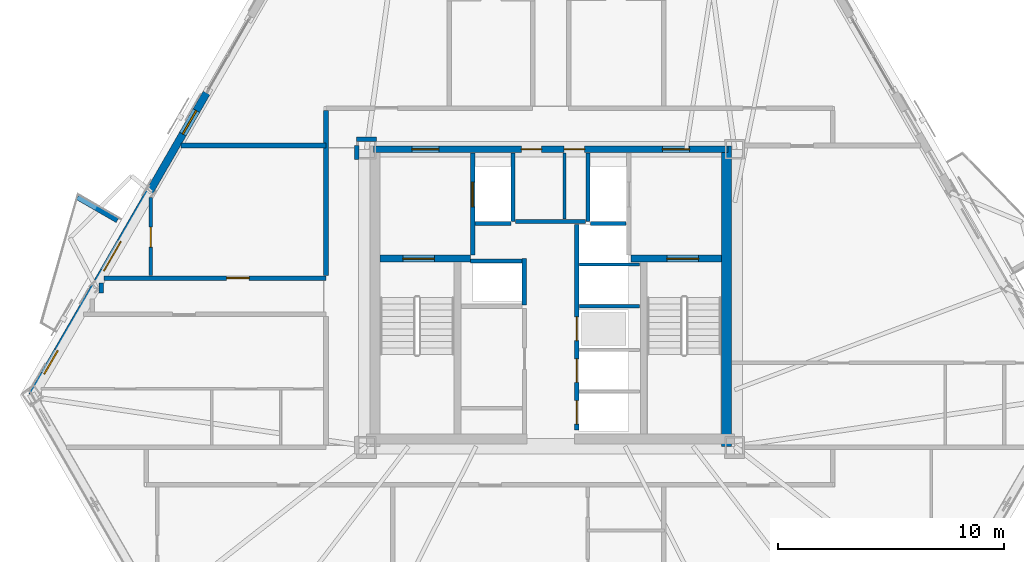
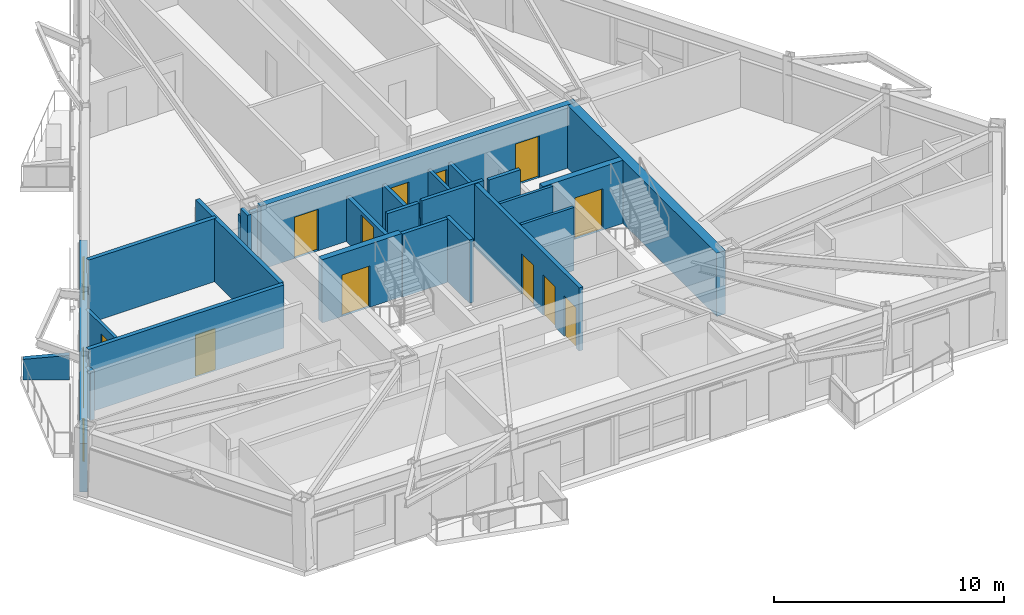
# One storey, part 10 of 16: 25 walls, 13 doors, 2 windows, 15 openings.
"""IFC4 building model written with IfcOpenShell, lengths in metres."""

from ifc_helpers import new_model, si_unit, direction, frame, frame_2d, origin, place, context, subcontext, project, spatial, polyline, rectangle, outline, extrude, material, layer, layer_set, type_object, element, fill, save


model = new_model("IFC4")

# Units and contexts
model_context = context("Model", 3, precision=1e-05, world=origin(), true_north=direction((0.0, 1.0)))
body_context = subcontext(model_context, "Body", "Model", "MODEL_VIEW")
ifc_project = project(units=[si_unit("LENGTHUNIT", "METRE"), si_unit("AREAUNIT", "SQUARE_METRE"), si_unit("VOLUMEUNIT", "CUBIC_METRE"), si_unit("PLANEANGLEUNIT", "RADIAN"), si_unit("MASSUNIT", "GRAM", prefix="KILO")], contexts=[model_context])

# Site, building, storey
site_placement = place(None, origin())
site = spatial("IfcSite", under=ifc_project, at=site_placement, CompositionType="ELEMENT")
building_placement = place(site_placement, origin())
building = spatial("IfcBuilding", under=site, at=building_placement, Name="Oramaril Tower", CompositionType="ELEMENT")
storey_placement = place(building_placement, frame((0.0, 0.0, 115.800048828125)))
storey = spatial("IfcBuildingStorey", under=building, at=storey_placement, Name="L30", CompositionType="ELEMENT", Elevation=115.800048828125)

# Wall, openings, door, windows
ifc_material_1 = material(Name="Warm Cream Limestone", Category="masonry")
ifc_layer_1 = layer(ifc_material_1, 0.340087890625)
ifc_layer_set_1 = layer_set([ifc_layer_1], Name="WT-EXT34")
wall_type_1 = type_object("IfcWallType", Name="WT-EXT34", PredefinedType="SOLIDWALL", material=ifc_layer_set_1)
wall_1_placement = place(storey_placement, frame((22.260986328125, 26.646484375, 0.0), z_axis=(0.0, 0.0, 1.0), x_axis=(-0.500009004027, -0.866020205245, 0.0)))
wall_1 = element("IfcWall", 1, at=wall_1_placement, inside=storey, type_object=wall_type_1, Name="L30 Tower Limestone Facade Wall 6R", PredefinedType="SOLIDWALL", context=body_context, shape_type="SweptSolid", body=[
    extrude(rectangle(XDim=15.463134765625, YDim=0.340087890625, at=frame_2d((7.7314453125, 0.0))), origin(), (0.0, 0.0, 1.0), 2.577880859375),
])
opening_1_placement = place(wall_1_placement, frame((7.59375, 0.0, 0.0)))
opening_1 = element("IfcOpeningElement", 2, at=opening_1_placement, cuts=wall_1, Name="Opening D-L30-BAL-NW2", PredefinedType="OPENING", context=body_context, shape_type="SweptSolid", body=[
    extrude(rectangle(XDim=1.5, YDim=2.199951171875, at=frame_2d((0.75, 1.10009765625))), frame((0.0, 0.169921875, 0.0), z_axis=(0.0, -1.0, 0.0), x_axis=(1.0, 0.0, 0.0)), (0.0, 0.0, 1.0), 0.340087890625),
])
opening_2_placement = place(wall_1_placement, frame((13.17724609375, 0.0, 0.85009765625)))
opening_2 = element("IfcOpeningElement", 3, at=opening_2_placement, cuts=wall_1, Name="Opening WN-09", PredefinedType="OPENING", context=body_context, shape_type="SweptSolid", body=[
    extrude(rectangle(XDim=1.199951171875, YDim=1.47998046875, at=frame_2d((0.60009765625, 0.739990234375))), frame((0.0, 0.169921875, 0.0), z_axis=(0.0, -1.0, 0.0), x_axis=(1.0, 0.0, 0.0)), (0.0, 0.0, 1.0), 0.340087890625),
])
opening_3_placement = place(wall_1_placement, frame((0.904541015625, 0.0, 0.85009765625)))
opening_3 = element("IfcOpeningElement", 4, at=opening_3_placement, cuts=wall_1, Name="Opening WN-09", PredefinedType="OPENING", context=body_context, shape_type="SweptSolid", body=[
    extrude(rectangle(XDim=1.199951171875, YDim=1.47998046875, at=frame_2d((0.60009765625, 0.739990234375))), frame((0.0, 0.169921875, 0.0), z_axis=(0.0, -1.0, 0.0), x_axis=(1.0, 0.0, 0.0)), (0.0, 0.0, 1.0), 0.340087890625),
])
ifc_material_2 = material(Name="Anodised Aluminium 6063-T6", Category="aluminium")
door_type_1 = type_object("IfcDoorType", Name="DT-BAL", OperationType="NOTDEFINED", PredefinedType="DOOR", material=ifc_material_2)
door_1_placement = place(opening_1_placement, origin())
door_1 = element("IfcDoor", 5, at=door_1_placement, inside=storey, type_object=door_type_1, Name="L30 Balcony Glazed Door L30-BAL-NW2", OperationType="SINGLE_SWING_RIGHT", OverallHeight=2.199951171875, OverallWidth=1.5, PredefinedType="DOOR", context=body_context, shape_type="SweptSolid", body=[
    extrude(rectangle(XDim=1.5, YDim=2.199951171875, at=frame_2d((0.75, 1.10009765625))), frame((0.0, 0.02490234375, 0.0), z_axis=(0.0, -1.0, 0.0), x_axis=(1.0, 0.0, 0.0)), (0.0, 0.0, 1.0), 0.050048828125),
])
fill(opening_1, door_1)
ifc_material_3 = material(Name="Coastal Low-E Insulated Glass", Category="glass")
window_type = type_object("IfcWindowType", Name="WNT-09", PartitioningType="SINGLE_PANEL", PredefinedType="WINDOW", material=ifc_material_3)
window_1_placement = place(opening_2_placement, origin())
window_1 = element("IfcWindow", 6, at=window_1_placement, inside=storey, type_object=window_type, Name="L30 Chicago Bay Window WN-09", OverallHeight=1.47998046875, OverallWidth=1.199951171875, PartitioningType="SINGLE_PANEL", PredefinedType="WINDOW", context=body_context, shape_type="SweptSolid", body=[
    extrude(rectangle(XDim=1.199951171875, YDim=1.47998046875, at=frame_2d((0.60009765625, 0.739990234375))), frame((0.0, 0.030029296875, 0.0), z_axis=(0.0, -1.0, 0.0), x_axis=(1.0, 0.0, 0.0)), (0.0, 0.0, 1.0), 0.06005859375),
])
fill(opening_2, window_1)
window_2_placement = place(opening_3_placement, origin())
window_2 = element("IfcWindow", 7, at=window_2_placement, inside=storey, type_object=window_type, Name="L30 Chicago Bay Window WN-09", OverallHeight=1.47998046875, OverallWidth=1.199951171875, PartitioningType="SINGLE_PANEL", PredefinedType="WINDOW", context=body_context, shape_type="SweptSolid", body=[
    extrude(rectangle(XDim=1.199951171875, YDim=1.47998046875, at=frame_2d((0.60009765625, 0.739990234375))), frame((0.0, 0.030029296875, 0.0), z_axis=(0.0, -1.0, 0.0), x_axis=(1.0, 0.0, 0.0)), (0.0, 0.0, 1.0), 0.06005859375),
])
fill(opening_3, window_2)

# Walls
ifc_material_4 = material(Name="Concrete C40/50", Category="concrete")
ifc_layer_2 = layer(ifc_material_4, 0.22998046875)
ifc_layer_set_2 = layer_set([ifc_layer_2], Name="WT-PRP23")
wall_type_2 = type_object("IfcWallType", Name="WT-PRP23", PredefinedType="PARAPET", material=ifc_layer_set_2)
wall_2_placement = place(storey_placement, frame((18.313720703125, 21.005615234375, 0.0), z_axis=(0.0, 0.0, 1.0), x_axis=(-0.866012356593, 0.500022597718, 0.0)))
element("IfcWall", 8, at=wall_2_placement, inside=storey, type_object=wall_type_2, Name="L30 Trapezoidal Balcony Frame Cheek L30-BAL-NW2-L", PredefinedType="PARAPET", context=body_context, shape_type="SweptSolid", body=[
    extrude(outline(polyline([(0.0, 0.0), (2.0419921875, 0.0), (2.0419921875, 1.099853515625), (0.0, 1.320068359375), (0.0, 0.0)])), frame((0.0, 0.114990234375, 0.0), z_axis=(0.0, -1.0, 0.0), x_axis=(1.0, 0.0, 0.0)), (0.0, 0.0, 1.0), 0.22998046875),
])
ifc_material_5 = material(Name="Acoustic Gypsum Board Partition")
ifc_layer_3 = layer(ifc_material_5, 0.139892578125)
ifc_layer_set_3 = layer_set([ifc_layer_3], Name="WT-PT14")
wall_type_3 = type_object("IfcWallType", Name="WT-PT14", PredefinedType="PARTITIONING", material=ifc_layer_set_3)
for number, where, z_axis, x_axis, name in (
    (9, (38.780029296875, 17.199951171875, 0.0), (0.0, 0.0, 1.0), (1.0, 0.0, 0.0), "L30 East Lift Divider"),
    (10, (38.780029296875, 19.050048828125, 0.0), (0.0, 0.0, 1.0), (1.0, 0.0, 0.0), "L30 East Lift Divider"),
):
    element("IfcWall", number, at=place(storey_placement, frame(where, z_axis=z_axis, x_axis=x_axis)), inside=storey, type_object=wall_type_3, Name=name, PredefinedType="PARTITIONING", context=body_context, shape_type="SweptSolid", body=[
        extrude(rectangle(XDim=2.659912109375, YDim=0.139892578125, at=frame_2d((1.330078125, 0.0))), origin(), (0.0, 0.0, 1.0), 3.35986328125),
    ])
wall_3_placement = place(storey_placement, frame((38.110107421875, 21.06005859375, 0.0), z_axis=(0.0, 0.0, 1.0), x_axis=(0.0, 1.0, 0.0)))
element("IfcWall", 11, at=wall_3_placement, inside=storey, type_object=wall_type_3, Name="L30 Core Service Divider", PredefinedType="PARTITIONING", context=body_context, shape_type="SweptSolid", body=[
    extrude(rectangle(XDim=2.919921875, YDim=0.139892578125, at=frame_2d((1.4599609375, 0.0))), origin(), (0.0, 0.0, 1.0), 2.39990234375),
])

# Wall, opening, door
ifc_material_6 = material(Name="Acoustic Gypsum Board Partition")
ifc_layer_4 = layer(ifc_material_6, 0.159912109375)
ifc_layer_set_4 = layer_set([ifc_layer_4], Name="WT-PT16")
wall_type_4 = type_object("IfcWallType", Name="WT-PT16", PredefinedType="PARTITIONING", material=ifc_layer_set_4)
wall_4_placement = place(storey_placement, frame((19.7900390625, 18.553955078125, 0.0), z_axis=(0.0, 0.0, 1.0), x_axis=(0.0, 1.0, 0.0)))
wall_4 = element("IfcWall", 12, at=wall_4_placement, inside=storey, type_object=wall_type_4, Name="L30 Interior Partition PT-16", PredefinedType="PARTITIONING", context=body_context, shape_type="SweptSolid", body=[
    extrude(rectangle(XDim=3.46484375, YDim=0.159912109375, at=frame_2d((1.732421875, 0.0))), origin(), (0.0, 0.0, 1.0), 2.577880859375),
])
opening_4_placement = place(wall_4_placement, frame((1.2705078125, 0.0, 0.0)))
opening_4 = element("IfcOpeningElement", 13, at=opening_4_placement, cuts=wall_4, Name="Opening D-L30-20", PredefinedType="OPENING", context=body_context, shape_type="SweptSolid", body=[
    extrude(rectangle(XDim=0.8798828125, YDim=2.080078125, at=frame_2d((0.43994140625, 1.0400390625))), frame((0.0, 0.080078125, 0.0), z_axis=(0.0, -1.0, 0.0), x_axis=(1.0, 0.0, 0.0)), (0.0, 0.0, 1.0), 0.159912109375),
])
ifc_material_7 = material(Name="FSC Brazilian Freijo Hardwood", Category="wood")
door_type_2 = type_object("IfcDoorType", Name="DT-BATH", OperationType="NOTDEFINED", PredefinedType="DOOR", material=ifc_material_7)
door_2_placement = place(opening_4_placement, origin())
door_2 = element("IfcDoor", 14, at=door_2_placement, inside=storey, type_object=door_type_2, Name="L30 Flat L30-U5 Bathroom Door D-L30-20", OperationType="SINGLE_SWING_RIGHT", OverallHeight=2.080078125, OverallWidth=0.8798828125, PredefinedType="DOOR", context=body_context, shape_type="SweptSolid", body=[
    extrude(rectangle(XDim=0.8798828125, YDim=2.080078125, at=frame_2d((0.43994140625, 1.0400390625))), frame((0.0, 0.02490234375, 0.0), z_axis=(0.0, -1.0, 0.0), x_axis=(1.0, 0.0, 0.0)), (0.0, 0.0, 1.0), 0.050048828125),
])
fill(opening_4, door_2)

# Walls
ifc_material_8 = material(Name="Autoclaved Cellular Concrete Block", Category="concrete")
ifc_layer_5 = layer(ifc_material_8, 0.179931640625)
ifc_layer_set_5 = layer_set([ifc_layer_5], Name="WT-PT18")
wall_type_5 = type_object("IfcWallType", Name="WT-PT18", PredefinedType="PARTITIONING", material=ifc_layer_set_5)
wall_5_placement = place(storey_placement, frame((35.840087890625, 20.9599609375, 0.0), z_axis=(0.0, 0.0, 1.0), x_axis=(0.0, 1.0, 0.0)))
element("IfcWall", 15, at=wall_5_placement, inside=storey, type_object=wall_type_5, Name="L30 FL-1 East Shaft Wall", PredefinedType="PARTITIONING", context=body_context, shape_type="SweptSolid", body=[
    extrude(rectangle(XDim=3.02001953125, YDim=0.179931640625, at=frame_2d((1.510009765625, 0.0))), origin(), (0.0, 0.0, 1.0), 2.39990234375),
])
wall_6_placement = place(storey_placement, frame((34.159912109375, 20.860107421875, 0.0), z_axis=(0.0, 0.0, 1.0), x_axis=(1.0, 0.0, 0.0)))
element("IfcWall", 16, at=wall_6_placement, inside=storey, type_object=wall_type_5, Name="L30 FL-1 South Shaft Wall", PredefinedType="PARTITIONING", context=body_context, shape_type="SweptSolid", body=[
    extrude(rectangle(XDim=1.580078125, YDim=0.179931640625, at=frame_2d((0.7900390625, 0.0))), origin(), (0.0, 0.0, 1.0), 3.35986328125),
])
wall_7_placement = place(storey_placement, frame((39.159912109375, 20.9599609375, 0.0), z_axis=(0.0, 0.0, 1.0), x_axis=(0.0, 1.0, 0.0)))
element("IfcWall", 17, at=wall_7_placement, inside=storey, type_object=wall_type_5, Name="L30 FL-2 West Shaft Wall", PredefinedType="PARTITIONING", context=body_context, shape_type="SweptSolid", body=[
    extrude(rectangle(XDim=3.02001953125, YDim=0.179931640625, at=frame_2d((1.510009765625, 0.0))), origin(), (0.0, 0.0, 1.0), 2.39990234375),
])
wall_8_placement = place(storey_placement, frame((39.260009765625, 20.860107421875, 0.0), z_axis=(0.0, 0.0, 1.0), x_axis=(1.0, 0.0, 0.0)))
element("IfcWall", 18, at=wall_8_placement, inside=storey, type_object=wall_type_5, Name="L30 FL-2 South Shaft Wall", PredefinedType="PARTITIONING", context=body_context, shape_type="SweptSolid", body=[
    extrude(rectangle(XDim=1.580078125, YDim=0.179931640625, at=frame_2d((0.7900390625, 0.0))), origin(), (0.0, 0.0, 1.0), 3.35986328125),
])
wall_9_placement = place(storey_placement, frame((33.949951171875, 19.199951171875, 0.0), z_axis=(0.0, 0.0, 1.0), x_axis=(1.0, 0.0, 0.0)))
element("IfcWall", 19, at=wall_9_placement, inside=storey, type_object=wall_type_5, Name="L30 High-Rise Lift H1 North Shaft Wall", PredefinedType="PARTITIONING", context=body_context, shape_type="SweptSolid", body=[
    extrude(rectangle(XDim=2.27001953125, YDim=0.179931640625, at=frame_2d((1.135009765625, 0.0))), origin(), (0.0, 0.0, 1.0), 3.35986328125),
])
wall_10_placement = place(storey_placement, frame((35.949951171875, 20.949951171875, 0.0), z_axis=(0.0, 0.0, 1.0), x_axis=(1.0, 0.0, 0.0)))
element("IfcWall", 20, at=wall_10_placement, inside=storey, type_object=wall_type_5, Name="L30 Lift Lobby North Partition", PredefinedType="PARTITIONING", context=body_context, shape_type="SweptSolid", body=[
    extrude(rectangle(XDim=3.10009765625, YDim=0.179931640625, at=frame_2d((1.550048828125, 0.0))), origin(), (0.0, 0.0, 1.0), 3.35986328125),
])

# Wall, opening, door
ifc_material_9 = material(Name="Autoclaved Cellular Concrete Block", Category="concrete")
ifc_layer_6 = layer(ifc_material_9, 0.199951171875)
ifc_layer_set_6 = layer_set([ifc_layer_6], Name="WT-PT20")
wall_type_6 = type_object("IfcWallType", Name="WT-PT20", PredefinedType="PARTITIONING", material=ifc_layer_set_6)
wall_11_placement = place(storey_placement, frame((17.7294921875, 18.449951171875, 0.0), z_axis=(0.0, 0.0, 1.0), x_axis=(1.0, 0.0, 0.0)))
wall_11 = element("IfcWall", 21, at=wall_11_placement, inside=storey, type_object=wall_type_6, Name="L30 Interior Partition PT-20", PredefinedType="PARTITIONING", context=body_context, shape_type="SweptSolid", body=[
    extrude(rectangle(XDim=9.820556640625, YDim=0.199951171875, at=frame_2d((4.91015625, 0.0))), origin(), (0.0, 0.0, 1.0), 3.35986328125),
])
opening_5_placement = place(wall_11_placement, frame((5.42138671875, 0.0, 0.0)))
opening_5 = element("IfcOpeningElement", 22, at=opening_5_placement, cuts=wall_11, Name="Opening D-L30-11", PredefinedType="OPENING", context=body_context, shape_type="SweptSolid", body=[
    extrude(rectangle(XDim=1.0, YDim=2.179931640625, at=frame_2d((0.5, 1.08984375))), frame((0.0, 0.10009765625, 0.0), z_axis=(0.0, -1.0, 0.0), x_axis=(1.0, 0.0, 0.0)), (0.0, 0.0, 1.0), 0.199951171875),
])
ifc_material_10 = material(Name="FSC Brazilian Freijo Hardwood", Category="wood")
door_type_3 = type_object("IfcDoorType", Name="DT-APT", OperationType="NOTDEFINED", PredefinedType="DOOR", material=ifc_material_10)
door_3_placement = place(opening_5_placement, origin())
door_3 = element("IfcDoor", 23, at=door_3_placement, inside=storey, type_object=door_type_3, Name="L30 Flat L30-U5 Kitchen and Studio Apartment Door D-L30-11", OperationType="SINGLE_SWING_LEFT", OverallHeight=2.179931640625, OverallWidth=1.0, PredefinedType="DOOR", context=body_context, shape_type="SweptSolid", body=[
    extrude(rectangle(XDim=1.0, YDim=2.179931640625, at=frame_2d((0.5, 1.08984375))), frame((0.0, 0.02490234375, 0.0), z_axis=(0.0, -1.0, 0.0), x_axis=(1.0, 0.0, 0.0)), (0.0, 0.0, 1.0), 0.050048828125),
])
fill(opening_5, door_3)

# Walls
wall_12_placement = place(storey_placement, frame((21.11865234375, 24.320068359375, 0.0), z_axis=(0.0, 0.0, 1.0), x_axis=(1.0, 0.0, 0.0)))
element("IfcWall", 24, at=wall_12_placement, inside=storey, type_object=wall_type_6, Name="L30 Interior Partition PT-20", PredefinedType="PARTITIONING", context=body_context, shape_type="SweptSolid", body=[
    extrude(rectangle(XDim=6.431396484375, YDim=0.199951171875, at=frame_2d((3.2158203125, 0.0))), origin(), (0.0, 0.0, 1.0), 3.35986328125),
])
wall_13_placement = place(storey_placement, frame((28.909912109375, 24.590087890625, 0.0), z_axis=(0.0, 0.0, 1.0), x_axis=(1.0, 0.0, 0.0)))
element("IfcWall", 25, at=wall_13_placement, inside=storey, type_object=wall_type_6, Name="L30 Interior Partition PT-20", PredefinedType="PARTITIONING", context=body_context, shape_type="SweptSolid", body=[
    extrude(rectangle(XDim=0.880126953125, YDim=0.199951171875, at=frame_2d((0.43994140625, 0.0))), origin(), (0.0, 0.0, 1.0), 2.81396484375),
])
wall_14_placement = place(storey_placement, frame((17.60009765625, 17.793701171875, 0.0), z_axis=(0.0, 0.0, 1.0), x_axis=(0.0, 1.0, 0.0)))
element("IfcWall", 26, at=wall_14_placement, inside=storey, type_object=wall_type_6, Name="L30 Interior Partition PT-20", PredefinedType="PARTITIONING", context=body_context, shape_type="SweptSolid", body=[
    extrude(rectangle(XDim=0.431884765625, YDim=0.199951171875, at=frame_2d((0.2158203125, 0.0))), origin(), (0.0, 0.0, 1.0), 2.577880859375),
])
wall_15_placement = place(storey_placement, frame((27.550048828125, 18.553955078125, 0.0), z_axis=(0.0, 0.0, 1.0), x_axis=(0.0, 1.0, 0.0)))
element("IfcWall", 27, at=wall_15_placement, inside=storey, type_object=wall_type_6, Name="L30 Interior Partition PT-20", PredefinedType="PARTITIONING", context=body_context, shape_type="SweptSolid", body=[
    extrude(rectangle(XDim=7.31201171875, YDim=0.199951171875, at=frame_2d((3.656005859375, 0.0))), origin(), (0.0, 0.0, 1.0), 3.35986328125),
])
wall_16_placement = place(storey_placement, frame((28.909912109375, 23.7099609375, 0.0), z_axis=(0.0, 0.0, 1.0), x_axis=(0.0, 1.0, 0.0)))
element("IfcWall", 28, at=wall_16_placement, inside=storey, type_object=wall_type_6, Name="L30 Interior Partition PT-20", PredefinedType="PARTITIONING", context=body_context, shape_type="SweptSolid", body=[
    extrude(rectangle(XDim=0.610107421875, YDim=0.199951171875, at=frame_2d((0.30517578125, 0.0))), origin(), (0.0, 0.0, 1.0), 3.35986328125),
])

# Wall, openings, doors
ifc_material_11 = material(Name="Concrete C50/60", Category="concrete")
ifc_layer_7 = layer(ifc_material_11, 0.300048828125)
ifc_layer_set_7 = layer_set([ifc_layer_7], Name="WT-SH30")
wall_type_7 = type_object("IfcWallType", Name="WT-SH30", PredefinedType="SHEAR", material=ifc_layer_set_7)
wall_17_placement = place(storey_placement, frame((29.64990234375, 24.14990234375, 0.0), z_axis=(0.0, 0.0, 1.0), x_axis=(1.0, 0.0, 0.0)))
wall_17 = element("IfcWall", 29, at=wall_17_placement, inside=storey, type_object=wall_type_7, Name="L30 Core Shear Wall CW-N", PredefinedType="SHEAR", context=body_context, shape_type="SweptSolid", body=[
    extrude(rectangle(XDim=15.7001953125, YDim=0.300048828125, at=frame_2d((7.85009765625, 0.0))), origin(), (0.0, 0.0, 1.0), 3.35986328125),
])
opening_6_placement = place(wall_17_placement, frame((1.699951171875, 0.0, 0.0)))
opening_6 = element("IfcOpeningElement", 30, at=opening_6_placement, cuts=wall_17, Name="Opening D-L30-FFL1", PredefinedType="OPENING", context=body_context, shape_type="SweptSolid", body=[
    extrude(rectangle(XDim=1.199951171875, YDim=2.199951171875, at=frame_2d((0.60009765625, 1.10009765625))), frame((0.0, 0.14990234375, 0.0), z_axis=(0.0, -1.0, 0.0), x_axis=(1.0, 0.0, 0.0)), (0.0, 0.0, 1.0), 0.300048828125),
])
opening_7_placement = place(wall_17_placement, frame((12.800048828125, 0.0, 0.0)))
opening_7 = element("IfcOpeningElement", 31, at=opening_7_placement, cuts=wall_17, Name="Opening D-L30-FFL2", PredefinedType="OPENING", context=body_context, shape_type="SweptSolid", body=[
    extrude(rectangle(XDim=1.199951171875, YDim=2.199951171875, at=frame_2d((0.60009765625, 1.10009765625))), frame((0.0, 0.14990234375, 0.0), z_axis=(0.0, -1.0, 0.0), x_axis=(1.0, 0.0, 0.0)), (0.0, 0.0, 1.0), 0.300048828125),
])
opening_8_placement = place(wall_17_placement, frame((6.550048828125, 0.0, 0.0)))
opening_8 = element("IfcOpeningElement", 32, at=opening_8_placement, cuts=wall_17, Name="Opening D-L30-SV1", PredefinedType="OPENING", context=body_context, shape_type="SweptSolid", body=[
    extrude(rectangle(XDim=0.89990234375, YDim=2.050048828125, at=frame_2d((0.449951171875, 1.02490234375))), frame((0.0, 0.14990234375, 0.0), z_axis=(0.0, -1.0, 0.0), x_axis=(1.0, 0.0, 0.0)), (0.0, 0.0, 1.0), 0.300048828125),
])
opening_9_placement = place(wall_17_placement, frame((8.449951171875, 0.0, 0.0)))
opening_9 = element("IfcOpeningElement", 33, at=opening_9_placement, cuts=wall_17, Name="Opening D-L30-SV2", PredefinedType="OPENING", context=body_context, shape_type="SweptSolid", body=[
    extrude(rectangle(XDim=0.89990234375, YDim=2.050048828125, at=frame_2d((0.449951171875, 1.02490234375))), frame((0.0, 0.14990234375, 0.0), z_axis=(0.0, -1.0, 0.0), x_axis=(1.0, 0.0, 0.0)), (0.0, 0.0, 1.0), 0.300048828125),
])
ifc_material_12 = material(Name="Painted Galvanised Steel", Category="steel")
door_type_4 = type_object("IfcDoorType", Name="DT-FFL", OperationType="NOTDEFINED", PredefinedType="DOOR", material=ifc_material_12)
door_4_placement = place(opening_6_placement, origin())
door_4 = element("IfcDoor", 34, at=door_4_placement, inside=storey, type_object=door_type_4, Name="L30 Firefighting Lobby 1 Fire Door", OperationType="SINGLE_SWING_LEFT", OverallHeight=2.199951171875, OverallWidth=1.199951171875, PredefinedType="DOOR", context=body_context, shape_type="SweptSolid", body=[
    extrude(rectangle(XDim=1.199951171875, YDim=2.199951171875, at=frame_2d((0.60009765625, 1.10009765625))), frame((0.0, 0.02490234375, 0.0), z_axis=(0.0, -1.0, 0.0), x_axis=(1.0, 0.0, 0.0)), (0.0, 0.0, 1.0), 0.050048828125),
])
fill(opening_6, door_4)
door_5_placement = place(opening_7_placement, origin())
door_5 = element("IfcDoor", 35, at=door_5_placement, inside=storey, type_object=door_type_4, Name="L30 Firefighting Lobby 2 Fire Door", OperationType="SINGLE_SWING_RIGHT", OverallHeight=2.199951171875, OverallWidth=1.199951171875, PredefinedType="DOOR", context=body_context, shape_type="SweptSolid", body=[
    extrude(rectangle(XDim=1.199951171875, YDim=2.199951171875, at=frame_2d((0.60009765625, 1.10009765625))), frame((0.0, 0.02490234375, 0.0), z_axis=(0.0, -1.0, 0.0), x_axis=(1.0, 0.0, 0.0)), (0.0, 0.0, 1.0), 0.050048828125),
])
fill(opening_7, door_5)
ifc_material_13 = material(Name="Painted Galvanised Steel", Category="steel")
door_type_5 = type_object("IfcDoorType", Name="DT-SVC", OperationType="NOTDEFINED", PredefinedType="DOOR", material=ifc_material_13)
door_6_placement = place(opening_8_placement, origin())
door_6 = element("IfcDoor", 36, at=door_6_placement, inside=storey, type_object=door_type_5, Name="L30 Core Service Store 1 Door", OperationType="SINGLE_SWING_LEFT", OverallHeight=2.050048828125, OverallWidth=0.89990234375, PredefinedType="DOOR", context=body_context, shape_type="SweptSolid", body=[
    extrude(rectangle(XDim=0.89990234375, YDim=2.050048828125, at=frame_2d((0.449951171875, 1.02490234375))), frame((0.0, 0.02490234375, 0.0), z_axis=(0.0, -1.0, 0.0), x_axis=(1.0, 0.0, 0.0)), (0.0, 0.0, 1.0), 0.050048828125),
])
fill(opening_8, door_6)
door_7_placement = place(opening_9_placement, origin())
door_7 = element("IfcDoor", 37, at=door_7_placement, inside=storey, type_object=door_type_5, Name="L30 Core Service Store 2 Door", OperationType="SINGLE_SWING_RIGHT", OverallHeight=2.050048828125, OverallWidth=0.89990234375, PredefinedType="DOOR", context=body_context, shape_type="SweptSolid", body=[
    extrude(rectangle(XDim=0.89990234375, YDim=2.050048828125, at=frame_2d((0.449951171875, 1.02490234375))), frame((0.0, 0.02490234375, 0.0), z_axis=(0.0, -1.0, 0.0), x_axis=(1.0, 0.0, 0.0)), (0.0, 0.0, 1.0), 0.050048828125),
])
fill(opening_9, door_7)

# Wall, opening, door
wall_18_placement = place(storey_placement, frame((29.93994140625, 19.31005859375, 0.0), z_axis=(0.0, 0.0, 1.0), x_axis=(1.0, 0.0, 0.0)))
wall_18 = element("IfcWall", 38, at=wall_18_placement, inside=storey, type_object=wall_type_7, Name="L30 Core Shear Wall CW-ST1N", PredefinedType="SHEAR", context=body_context, shape_type="SweptSolid", body=[
    extrude(rectangle(XDim=4.010009765625, YDim=0.300048828125, at=frame_2d((2.0048828125, 0.0))), origin(), (0.0, 0.0, 1.0), 3.35986328125),
])
opening_10_placement = place(wall_18_placement, frame((1.010009765625, 0.0, 0.0)))
opening_10 = element("IfcOpeningElement", 39, at=opening_10_placement, cuts=wall_18, Name="Opening D-L30-ST1", PredefinedType="OPENING", context=body_context, shape_type="SweptSolid", body=[
    extrude(rectangle(XDim=1.39990234375, YDim=2.199951171875, at=frame_2d((0.699951171875, 1.10009765625))), frame((0.0, 0.14990234375, 0.0), z_axis=(0.0, -1.0, 0.0), x_axis=(1.0, 0.0, 0.0)), (0.0, 0.0, 1.0), 0.300048828125),
])
ifc_material_14 = material(Name="Painted Galvanised Steel", Category="steel")
door_type_6 = type_object("IfcDoorType", Name="DT-ST", OperationType="NOTDEFINED", PredefinedType="DOOR", material=ifc_material_14)
door_8_placement = place(opening_10_placement, origin())
door_8 = element("IfcDoor", 40, at=door_8_placement, inside=storey, type_object=door_type_6, Name="L30 Protected Stair ST-1 Fire Door", OperationType="SINGLE_SWING_LEFT", OverallHeight=2.199951171875, OverallWidth=1.39990234375, PredefinedType="DOOR", context=body_context, shape_type="SweptSolid", body=[
    extrude(rectangle(XDim=1.39990234375, YDim=2.199951171875, at=frame_2d((0.699951171875, 1.10009765625))), frame((0.0, 0.02490234375, 0.0), z_axis=(0.0, -1.0, 0.0), x_axis=(1.0, 0.0, 0.0)), (0.0, 0.0, 1.0), 0.050048828125),
])
fill(opening_10, door_8)

wall_19_placement = place(storey_placement, frame((41.050048828125, 19.31005859375, 0.0), z_axis=(0.0, 0.0, 1.0), x_axis=(1.0, 0.0, 0.0)))
wall_19 = element("IfcWall", 41, at=wall_19_placement, inside=storey, type_object=wall_type_7, Name="L30 Core Shear Wall CW-ST2N", PredefinedType="SHEAR", context=body_context, shape_type="SweptSolid", body=[
    extrude(rectangle(XDim=4.010009765625, YDim=0.300048828125, at=frame_2d((2.0048828125, 0.0))), origin(), (0.0, 0.0, 1.0), 3.35986328125),
])
opening_11_placement = place(wall_19_placement, frame((1.60009765625, 0.0, 0.0)))
opening_11 = element("IfcOpeningElement", 42, at=opening_11_placement, cuts=wall_19, Name="Opening D-L30-ST2", PredefinedType="OPENING", context=body_context, shape_type="SweptSolid", body=[
    extrude(rectangle(XDim=1.39990234375, YDim=2.199951171875, at=frame_2d((0.699951171875, 1.10009765625))), frame((0.0, 0.14990234375, 0.0), z_axis=(0.0, -1.0, 0.0), x_axis=(1.0, 0.0, 0.0)), (0.0, 0.0, 1.0), 0.300048828125),
])
door_9_placement = place(opening_11_placement, origin())
door_9 = element("IfcDoor", 43, at=door_9_placement, inside=storey, type_object=door_type_6, Name="L30 Protected Stair ST-2 Fire Door", OperationType="SINGLE_SWING_RIGHT", OverallHeight=2.199951171875, OverallWidth=1.39990234375, PredefinedType="DOOR", context=body_context, shape_type="SweptSolid", body=[
    extrude(rectangle(XDim=1.39990234375, YDim=2.199951171875, at=frame_2d((0.699951171875, 1.10009765625))), frame((0.0, 0.02490234375, 0.0), z_axis=(0.0, -1.0, 0.0), x_axis=(1.0, 0.0, 0.0)), (0.0, 0.0, 1.0), 0.050048828125),
])
fill(opening_11, door_9)

# Wall
ifc_material_15 = material(Name="Concrete C50/60", Category="concrete")
ifc_layer_8 = layer(ifc_material_15, 0.449951171875)
ifc_layer_set_8 = layer_set([ifc_layer_8], Name="WT-SH45")
wall_type_8 = type_object("IfcWallType", Name="WT-SH45", PredefinedType="SHEAR", material=ifc_layer_set_8)
wall_20_placement = place(storey_placement, frame((45.284912109375, 11.0, 0.0), z_axis=(0.0, 0.0, 1.0), x_axis=(0.0, 1.0, 0.0)))
element("IfcWall", 44, at=wall_20_placement, inside=storey, type_object=wall_type_8, Name="L30 Core Shear Wall CW-E", PredefinedType="SHEAR", context=body_context, shape_type="SweptSolid", body=[
    extrude(rectangle(XDim=13.300048828125, YDim=0.449951171875, at=frame_2d((6.64990234375, 0.0))), origin(), (0.0, 0.0, 1.0), 3.35986328125),
])

# Wall, opening, door
ifc_material_16 = material(Name="Autoclaved Cellular Concrete Block", Category="concrete")
ifc_layer_9 = layer(ifc_material_16, 0.199951171875)
ifc_layer_set_9 = layer_set([ifc_layer_9], Name="WT-SHF20")
wall_type_9 = type_object("IfcWallType", Name="WT-SHF20", PredefinedType="PARTITIONING", material=ifc_layer_set_9)
wall_21_placement = place(storey_placement, frame((34.0400390625, 19.47998046875, 0.0), z_axis=(0.0, 0.0, 1.0), x_axis=(0.0, 1.0, 0.0)))
wall_21 = element("IfcWall", 45, at=wall_21_placement, inside=storey, type_object=wall_type_9, Name="L30 FL-1 Lobby Shaft Wall", PredefinedType="PARTITIONING", context=body_context, shape_type="SweptSolid", body=[
    extrude(rectangle(XDim=4.5, YDim=0.199951171875, at=frame_2d((2.25, 0.0))), origin(), (0.0, 0.0, 1.0), 2.39990234375),
])
opening_12_placement = place(wall_21_placement, frame((2.1201171875, 0.0, 0.0)))
opening_12 = element("IfcOpeningElement", 46, at=opening_12_placement, cuts=wall_21, Name="Opening LD-L30-FL-1", PredefinedType="OPENING", context=body_context, shape_type="SweptSolid", body=[
    extrude(rectangle(XDim=1.10009765625, YDim=2.199951171875, at=frame_2d((0.550048828125, 1.10009765625))), frame((0.0, 0.10009765625, 0.0), z_axis=(0.0, -1.0, 0.0), x_axis=(1.0, 0.0, 0.0)), (0.0, 0.0, 1.0), 0.199951171875),
])
ifc_material_17 = material(Name="Stainless Steel 316L", Category="steel")
door_type_7 = type_object("IfcDoorType", Name="DT-LD1", OperationType="NOTDEFINED", PredefinedType="DOOR", material=ifc_material_17)
door_10_placement = place(opening_12_placement, origin())
door_10 = element("IfcDoor", 47, at=door_10_placement, inside=storey, type_object=door_type_7, Name="L30 Lift FL-1 Sliding Landing Door", OperationType="SLIDING_TO_LEFT", OverallHeight=2.199951171875, OverallWidth=1.10009765625, PredefinedType="DOOR", context=body_context, shape_type="SweptSolid", body=[
    extrude(rectangle(XDim=1.10009765625, YDim=2.199951171875, at=frame_2d((0.550048828125, 1.10009765625))), frame((0.0, 0.02490234375, 0.0), z_axis=(0.0, -1.0, 0.0), x_axis=(1.0, 0.0, 0.0)), (0.0, 0.0, 1.0), 0.050048828125),
])
fill(opening_12, door_10)

# Wall
wall_22_placement = place(storey_placement, frame((36.340087890625, 17.25, 0.0), z_axis=(0.0, 0.0, 1.0), x_axis=(0.0, 1.0, 0.0)))
element("IfcWall", 48, at=wall_22_placement, inside=storey, type_object=wall_type_9, Name="L30 High-Rise Lift H1 Front Wall", PredefinedType="PARTITIONING", context=body_context, shape_type="SweptSolid", body=[
    extrude(rectangle(XDim=2.070068359375, YDim=0.199951171875, at=frame_2d((1.03515625, 0.0))), origin(), (0.0, 0.0, 1.0), 3.35986328125),
])

# Wall, openings, doors
wall_23_placement = place(storey_placement, frame((38.659912109375, 11.719970703125, 0.0), z_axis=(0.0, 0.0, 1.0), x_axis=(0.0, 1.0, 0.0)))
wall_23 = element("IfcWall", 49, at=wall_23_placement, inside=storey, type_object=wall_type_9, Name="L30 East Lift Bank Front Wall", PredefinedType="PARTITIONING", context=body_context, shape_type="SweptSolid", body=[
    extrude(rectangle(XDim=9.10009765625, YDim=0.199951171875, at=frame_2d((4.550048828125, 0.0))), origin(), (0.0, 0.0, 1.0), 3.35986328125),
])
opening_13_placement = place(wall_23_placement, frame((0.2548828125, 0.0, 0.0)))
opening_13 = element("IfcOpeningElement", 50, at=opening_13_placement, cuts=wall_23, Name="Opening LD-L30-LP-M1", PredefinedType="OPENING", context=body_context, shape_type="SweptSolid", body=[
    extrude(rectangle(XDim=1.050048828125, YDim=2.14990234375, at=frame_2d((0.52490234375, 1.074951171875))), frame((0.0, 0.10009765625, 0.0), z_axis=(0.0, -1.0, 0.0), x_axis=(1.0, 0.0, 0.0)), (0.0, 0.0, 1.0), 0.199951171875),
])
opening_14_placement = place(wall_23_placement, frame((2.10498046875, 0.0, 0.0)))
opening_14 = element("IfcOpeningElement", 51, at=opening_14_placement, cuts=wall_23, Name="Opening LD-L30-LP-M2", PredefinedType="OPENING", context=body_context, shape_type="SweptSolid", body=[
    extrude(rectangle(XDim=1.050048828125, YDim=2.14990234375, at=frame_2d((0.52490234375, 1.074951171875))), frame((0.0, 0.10009765625, 0.0), z_axis=(0.0, -1.0, 0.0), x_axis=(1.0, 0.0, 0.0)), (0.0, 0.0, 1.0), 0.199951171875),
])
opening_15_placement = place(wall_23_placement, frame((3.955078125, 0.0, 0.0)))
opening_15 = element("IfcOpeningElement", 52, at=opening_15_placement, cuts=wall_23, Name="Opening LD-L30-LP-M3", PredefinedType="OPENING", context=body_context, shape_type="SweptSolid", body=[
    extrude(rectangle(XDim=1.050048828125, YDim=2.14990234375, at=frame_2d((0.52490234375, 1.074951171875))), frame((0.0, 0.10009765625, 0.0), z_axis=(0.0, -1.0, 0.0), x_axis=(1.0, 0.0, 0.0)), (0.0, 0.0, 1.0), 0.199951171875),
])
ifc_material_18 = material(Name="Stainless Steel 316L", Category="steel")
door_type_8 = type_object("IfcDoorType", Name="DT-LD2", OperationType="NOTDEFINED", PredefinedType="DOOR", material=ifc_material_18)
door_11_placement = place(opening_13_placement, origin())
door_11 = element("IfcDoor", 53, at=door_11_placement, inside=storey, type_object=door_type_8, Name="L30 Lift LP-M1 Sliding Landing Door", OperationType="SLIDING_TO_RIGHT", OverallHeight=2.14990234375, OverallWidth=1.050048828125, PredefinedType="DOOR", context=body_context, shape_type="SweptSolid", body=[
    extrude(rectangle(XDim=1.050048828125, YDim=2.14990234375, at=frame_2d((0.52490234375, 1.074951171875))), frame((0.0, 0.02490234375, 0.0), z_axis=(0.0, -1.0, 0.0), x_axis=(1.0, 0.0, 0.0)), (0.0, 0.0, 1.0), 0.050048828125),
])
fill(opening_13, door_11)
door_12_placement = place(opening_14_placement, origin())
door_12 = element("IfcDoor", 54, at=door_12_placement, inside=storey, type_object=door_type_8, Name="L30 Lift LP-M2 Sliding Landing Door", OperationType="SLIDING_TO_LEFT", OverallHeight=2.14990234375, OverallWidth=1.050048828125, PredefinedType="DOOR", context=body_context, shape_type="SweptSolid", body=[
    extrude(rectangle(XDim=1.050048828125, YDim=2.14990234375, at=frame_2d((0.52490234375, 1.074951171875))), frame((0.0, 0.02490234375, 0.0), z_axis=(0.0, -1.0, 0.0), x_axis=(1.0, 0.0, 0.0)), (0.0, 0.0, 1.0), 0.050048828125),
])
fill(opening_14, door_12)
door_13_placement = place(opening_15_placement, origin())
door_13 = element("IfcDoor", 55, at=door_13_placement, inside=storey, type_object=door_type_8, Name="L30 Lift LP-M3 Sliding Landing Door", OperationType="SLIDING_TO_RIGHT", OverallHeight=2.14990234375, OverallWidth=1.050048828125, PredefinedType="DOOR", context=body_context, shape_type="SweptSolid", body=[
    extrude(rectangle(XDim=1.050048828125, YDim=2.14990234375, at=frame_2d((0.52490234375, 1.074951171875))), frame((0.0, 0.02490234375, 0.0), z_axis=(0.0, -1.0, 0.0), x_axis=(1.0, 0.0, 0.0)), (0.0, 0.0, 1.0), 0.050048828125),
])
fill(opening_15, door_13)

save(model, "model.ifc")
